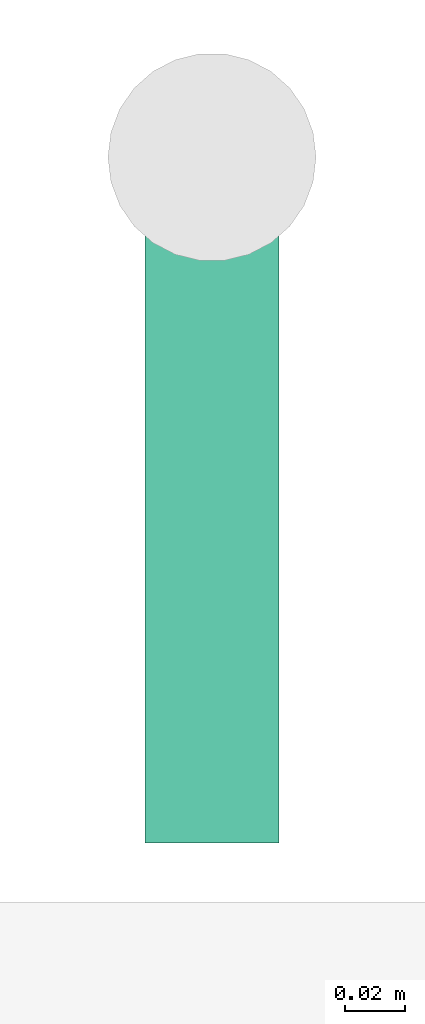
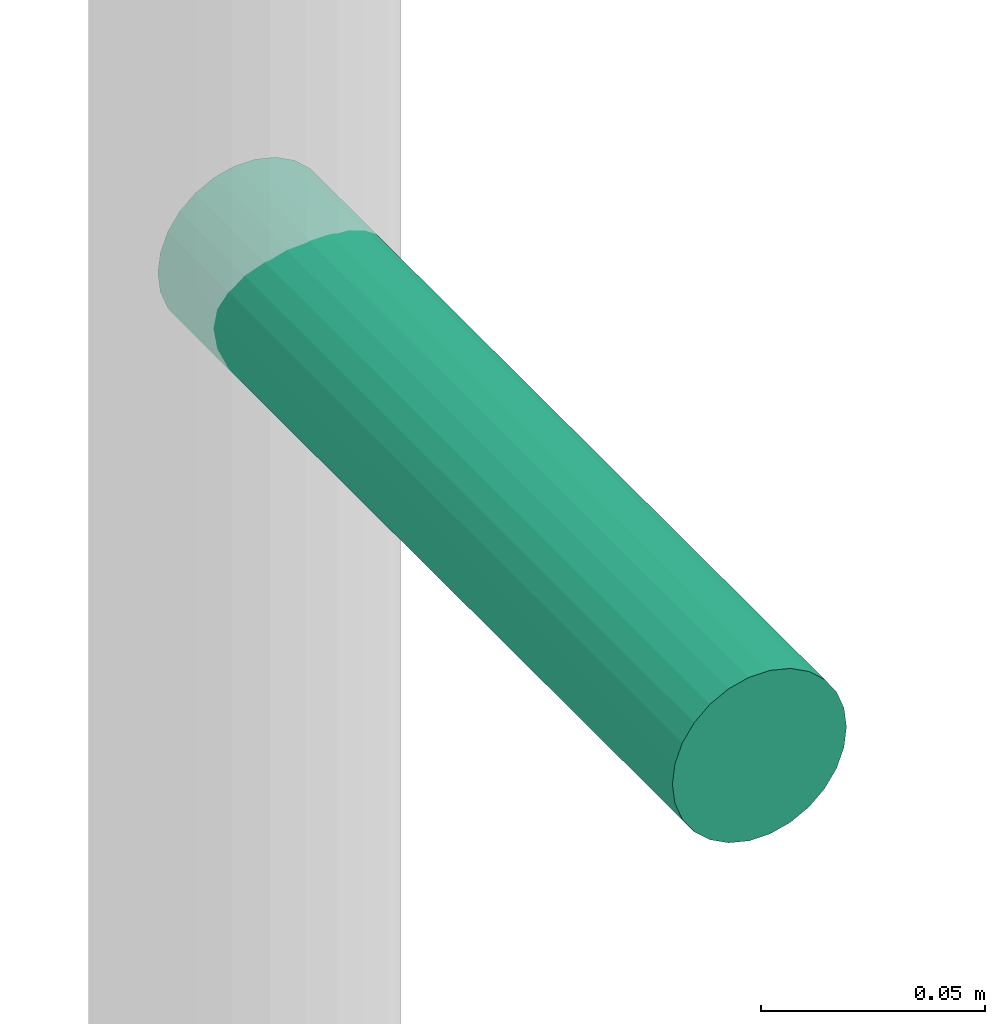
# One storey, part 28 of 31: 1 pipe fitting.
"""IFC4 building model written with IfcOpenShell, lengths in metres."""

from ifc_helpers import new_model, si_unit, direction, frame, origin, origin_2d, place, context, subcontext, project, spatial, circle, extrude, element, save


model = new_model("IFC4")

# Units and contexts
model_context = context("Model", 3, precision=1e-05, world=origin(), true_north=direction((0.0, 1.0)))
body_context = subcontext(model_context, "Body", "Model", "MODEL_VIEW")
ifc_project = project(units=[si_unit("LENGTHUNIT", "METRE"), si_unit("AREAUNIT", "SQUARE_METRE"), si_unit("VOLUMEUNIT", "CUBIC_METRE"), si_unit("PLANEANGLEUNIT", "RADIAN"), si_unit("MASSUNIT", "GRAM", prefix="KILO")], contexts=[model_context])

# Site, building, storey
site_placement = place(None, origin())
site = spatial("IfcSite", under=ifc_project, at=site_placement, CompositionType="ELEMENT")
building_placement = place(site_placement, origin())
building = spatial("IfcBuilding", under=site, at=building_placement, Name="Nzadi Deep Aquarium and Research Tower", CompositionType="ELEMENT")
storey_placement = place(building_placement, frame((0.0, 0.0, 21.699951171875)))
storey = spatial("IfcBuildingStorey", under=building, at=storey_placement, Name="L03", CompositionType="ELEMENT", Elevation=21.699951171875)

# Pipe fitting
pipe_fitting_placement = place(storey_placement, frame((2.300048828125, 68.9599609375, 1.10009765625), z_axis=(0.0, -1.0, 0.0), x_axis=(1.0, 0.0, 0.0)))
element("IfcPipeFitting", 1, at=pipe_fitting_placement, inside=storey, Name="Dry riser outlet ST-Z2-W L03", PredefinedType="EXIT", context=body_context, shape_type="SweptSolid", body=[
    extrude(circle(Radius=0.0224609375, at=origin_2d()), origin(), (0.0, 0.0, 1.0), 0.22998046875),
])

save(model, "model.ifc")
